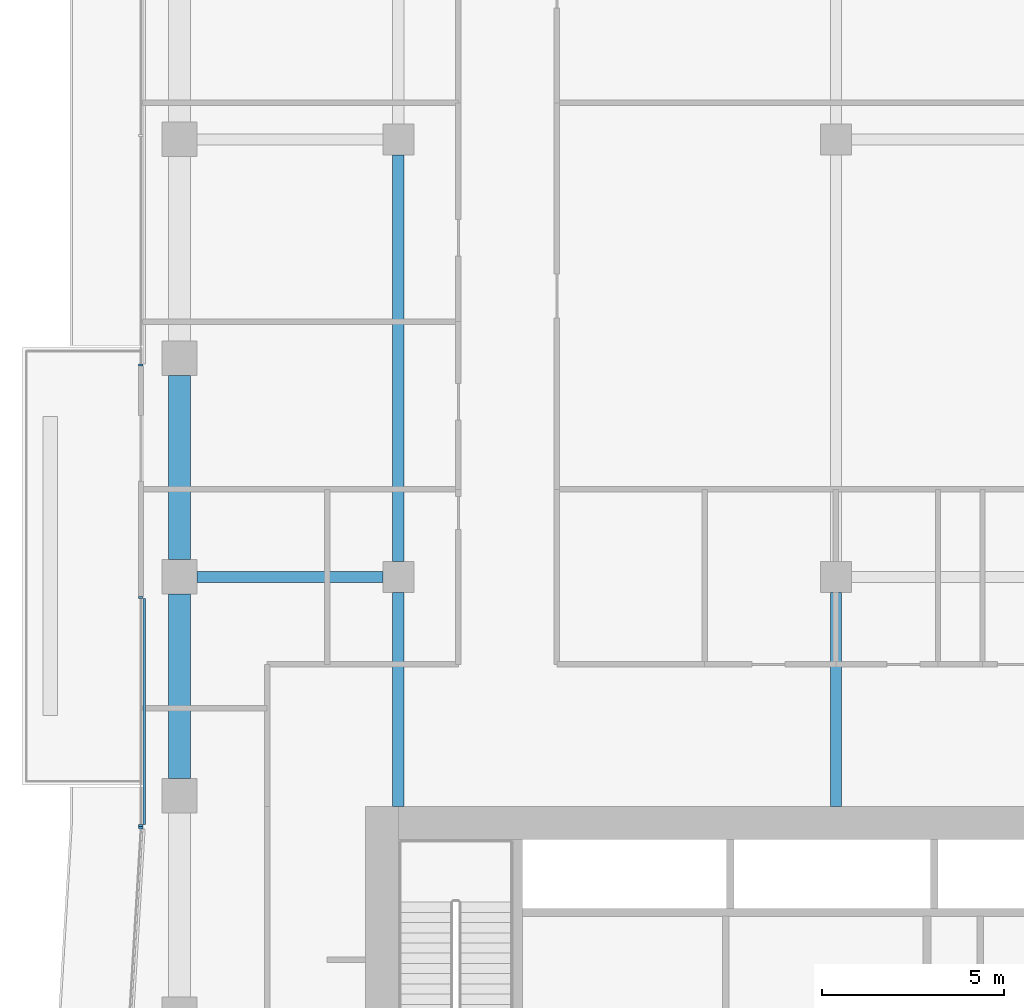
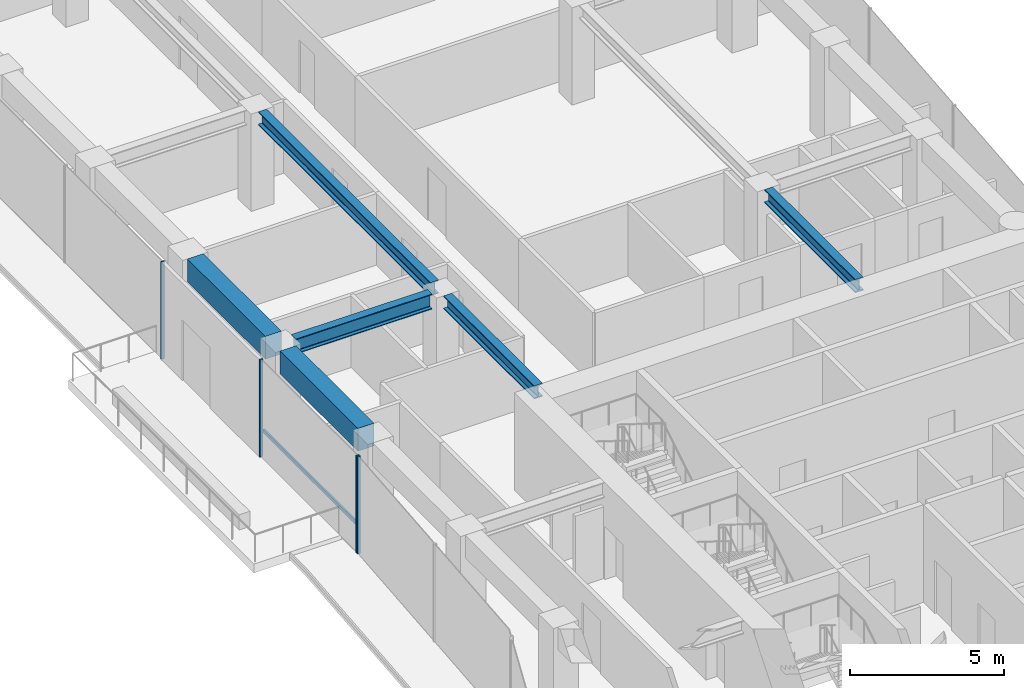
# One storey, part 12 of 27: 6 beams, 5 members, 3 elements without a shape of their own.
"""IFC4 building model written with IfcOpenShell, lengths in metres."""

import ifcopenshell
import ifcopenshell.guid

model = None  # the IFC model being written
_history = None  # IfcOwnerHistory: only IFC2X3 demands one
_inside = {}  # id of a spatial element -> (the spatial element, [elements in it])
_under = {}  # id of a project, library or spatial element -> (it, [spatial elements below it])
_declared = {}  # id of a project -> (the project, [libraries it declares])
_typed = {}  # id of a type object -> (the type object, [elements of that type])
_made_of = {}  # id of a material, layer set ... -> (it, [elements and type objects made of it])


def new_model(schema):
    """Start an empty IFC model of exactly this schema.

    Asked for "IFC4X3", IfcOpenShell would pick the latest addendum, in which some entities
    have other attributes; the version numbers below select the first issue.
    IFC2X3 requires an IfcOwnerHistory on every rooted entity: one is made here for all.
    """
    global model, _history
    if schema == "IFC4X3":
        model = ifcopenshell.file(schema_version=(4, 3, 0, 0))
    else:
        model = ifcopenshell.file(schema=schema)
    _inside.clear()
    _under.clear()
    _declared.clear()
    _typed.clear()
    _made_of.clear()
    _history = None
    if model.schema == "IFC2X3":
        org = make("IfcOrganization", Name="unknown")
        user = make(
            "IfcPersonAndOrganization",
            ThePerson=make("IfcPerson", FamilyName="unknown"),
            TheOrganization=org,
        )
        app = make(
            "IfcApplication",
            ApplicationDeveloper=org,
            Version="unknown",
            ApplicationFullName="unknown",
            ApplicationIdentifier="unknown",
        )
        _history = make(
            "IfcOwnerHistory",
            OwningUser=user,
            OwningApplication=app,
            ChangeAction="ADDED",
            CreationDate=0,
        )
    return model


def make(cls, **values):
    """One entity of the class cls with the attributes given. An attribute that is None is left unset."""
    return model.create_entity(
        cls, **{name: value for name, value in values.items() if value is not None}
    )


def rooted(cls, **values):
    """An entity with a GlobalId (a new one), such as an element, a storey or a relation."""
    return make(cls, GlobalId=ifcopenshell.guid.new(), OwnerHistory=_history, **values)


def si_unit(unit_type, name, prefix=None):
    """IfcSIUnit, for example si_unit("LENGTHUNIT", "METRE", prefix="MILLI")."""
    return make("IfcSIUnit", UnitType=unit_type, Prefix=prefix, Name=name)


def assignment(units):
    """IfcUnitAssignment: the units of a project."""
    return None if units is None else make("IfcUnitAssignment", Units=units)


def point(xyz):
    """IfcCartesianPoint."""
    return None if xyz is None else make("IfcCartesianPoint", Coordinates=xyz)


def direction(xyz):
    """IfcDirection."""
    return None if xyz is None else make("IfcDirection", DirectionRatios=xyz)


def frame(location, z_axis=None, x_axis=None):
    """IfcAxis2Placement3D, a coordinate frame: its origin and axes. An axis left out is left unset."""
    return make(
        "IfcAxis2Placement3D",
        Location=point(location),
        Axis=direction(z_axis),
        RefDirection=direction(x_axis),
    )


def frame_2d(location, x_axis=None):
    """IfcAxis2Placement2D, a coordinate frame in the plane: its origin and x axis."""
    return make(
        "IfcAxis2Placement2D", Location=point(location), RefDirection=direction(x_axis)
    )


def origin():
    """The frame at (0, 0, 0) with its axes left unset."""
    return frame((0.0, 0.0, 0.0))


def origin_2d():
    """The frame at (0, 0) in the plane with its x axis left unset."""
    return frame_2d((0.0, 0.0))


def place(relative_to, where):
    """IfcLocalPlacement: puts the frame where relative to a parent placement (None: the world)."""
    return make(
        "IfcLocalPlacement", PlacementRelTo=relative_to, RelativePlacement=where
    )


def context(
    kind, dimensions, precision=None, world=None, true_north=None, identifier=None
):
    """IfcGeometricRepresentationContext, for example the 3D "Model" context."""
    return make(
        "IfcGeometricRepresentationContext",
        ContextIdentifier=identifier,
        ContextType=kind,
        CoordinateSpaceDimension=dimensions,
        Precision=precision,
        WorldCoordinateSystem=world,
        TrueNorth=true_north,
    )


def subcontext(parent, identifier, kind, view, scale=None):
    """IfcGeometricRepresentationSubContext, for example "Body" below "Model"."""
    return make(
        "IfcGeometricRepresentationSubContext",
        ContextIdentifier=identifier,
        ContextType=kind,
        ParentContext=parent,
        TargetScale=scale,
        TargetView=view,
    )


def project(units=None, contexts=None):
    """IfcProject with its units and contexts."""
    return rooted(
        "IfcProject",
        Name="project",
        RepresentationContexts=contexts,
        UnitsInContext=assignment(units),
    )


def spatial(cls, under=None, at=None, **own):
    """A site, building, storey or space (cls), placed at a placement, below another one or the project."""
    s = rooted(cls, ObjectPlacement=at, **own)
    if under is not None:
        _under.setdefault(under.id(), (under, []))[1].append(s)
    return s


def profile(cls, at=None, kind="AREA", **sizes):
    """A parametric profile (cls). Its sizes go by their IFC names, for example OverallWidth=200.0."""
    return make(cls, ProfileType=kind, Position=at, **sizes)


def rectangle(**sizes):
    """IfcRectangleProfileDef."""
    return profile("IfcRectangleProfileDef", **sizes)


def i_section(**sizes):
    """IfcIShapeProfileDef."""
    return profile("IfcIShapeProfileDef", **sizes)


def extrude(swept, where, along, depth):
    """IfcExtrudedAreaSolid: the profile swept, set in the frame where, extruded along a direction by depth."""
    return make(
        "IfcExtrudedAreaSolid",
        SweptArea=swept,
        Position=where,
        ExtrudedDirection=direction(along),
        Depth=depth,
    )


def shape(context_of_items, identifier, shape_type, items):
    """IfcShapeRepresentation: the items that make up one representation, for example the "Body"."""
    return make(
        "IfcShapeRepresentation",
        ContextOfItems=context_of_items,
        RepresentationIdentifier=identifier,
        RepresentationType=shape_type,
        Items=items,
    )


def material(Name=None, Category=None):
    """IfcMaterial."""
    return make("IfcMaterial", Name=Name, Category=Category)


def layer(
    of_material, thickness, ventilated=None, Name=None, Category=None, Priority=None
):
    """IfcMaterialLayer: one layer of a wall or slab, of a material (None: an air gap)."""
    return make(
        "IfcMaterialLayer",
        Material=of_material,
        LayerThickness=thickness,
        IsVentilated=ventilated,
        Name=Name,
        Category=Category,
        Priority=Priority,
    )


def layer_set(layers, Name=None):
    """IfcMaterialLayerSet."""
    return make("IfcMaterialLayerSet", MaterialLayers=layers, LayerSetName=Name)


def material_profile(
    of_material, cross_section, Name=None, Category=None, Priority=None
):
    """IfcMaterialProfile: a cross section and its material."""
    return make(
        "IfcMaterialProfile",
        Name=Name,
        Material=of_material,
        Profile=cross_section,
        Priority=Priority,
        Category=Category,
    )


def profile_set(profiles, Name=None, composite=None):
    """IfcMaterialProfileSet."""
    return make(
        "IfcMaterialProfileSet",
        Name=Name,
        MaterialProfiles=profiles,
        CompositeProfile=composite,
    )


def made_of(thing, what):
    """Note that an element or type object is made of a material, layer set ...; save() writes the relation."""
    if what is not None:
        _made_of.setdefault(what.id(), (what, []))[1].append(thing)
    return thing


def type_object(cls, material=None, **own):
    """A type object (cls), such as IfcWallType, which elements share."""
    return made_of(rooted(cls, **own), material)


def element(
    cls,
    number,
    at=None,
    inside=None,
    cuts=None,
    type_object=None,
    material=None,
    context=None,
    identifier="Body",
    shape_type=None,
    held_by="IfcProductDefinitionShape",
    body=None,
    shapes=None,
    **own,
):
    """One element of the class cls, such as IfcWall. Its Tag is "e" and its number.

    at: its placement. inside: the storey or other place that contains it. cuts: it is an
    opening in that element (IfcRelVoidsElement). A single representation is given by context,
    identifier, shape_type and body (its items); several are given by shapes. held_by: the class
    of the entity that holds the representations. save() writes the other relations.
    """
    e = rooted(cls, Tag="e%d" % number, ObjectPlacement=at, **own)
    if body is not None:
        shapes = [shape(context, identifier, shape_type, body)]
    if shapes is not None:
        e.Representation = make(held_by, Representations=shapes)
    if inside is not None:
        _inside.setdefault(inside.id(), (inside, []))[1].append(e)
    if cuts is not None:
        rooted(
            "IfcRelVoidsElement", RelatingBuildingElement=cuts, RelatedOpeningElement=e
        )
    if type_object is not None:
        _typed.setdefault(type_object.id(), (type_object, []))[1].append(e)
    return made_of(e, material)


def aggregate(whole, parts):
    """IfcRelAggregates: a whole, such as a stair, and the parts it consists of."""
    return rooted("IfcRelAggregates", RelatingObject=whole, RelatedObjects=parts)


def save(model, path):
    """Write the relations noted so far, then the file.

    IfcRelAggregates (storeys below a building ...), IfcRelContainedInSpatialStructure (elements
    in a storey), IfcRelDefinesByType, IfcRelAssociatesMaterial and IfcRelDeclares: one each for
    every whole, place, type object, material and project.
    """
    for whole, parts in _under.values():
        aggregate(whole, parts)
    for where, things in _inside.values():
        rooted(
            "IfcRelContainedInSpatialStructure",
            RelatedElements=things,
            RelatingStructure=where,
        )
    for kind, things in _typed.values():
        rooted("IfcRelDefinesByType", RelatedObjects=things, RelatingType=kind)
    for what, things in _made_of.values():
        rooted("IfcRelAssociatesMaterial", RelatedObjects=things, RelatingMaterial=what)
    for by, libraries in _declared.values():
        rooted("IfcRelDeclares", RelatingContext=by, RelatedDefinitions=libraries)
    model.write(path)


model = new_model("IFC4")

# Units and contexts
model_context = context("Model", 3, precision=1e-05, world=origin(), true_north=direction((0.0, 1.0)))
body_context = subcontext(model_context, "Body", "Model", "MODEL_VIEW")
ifc_project = project(units=[si_unit("LENGTHUNIT", "METRE"), si_unit("AREAUNIT", "SQUARE_METRE"), si_unit("VOLUMEUNIT", "CUBIC_METRE"), si_unit("PLANEANGLEUNIT", "RADIAN"), si_unit("MASSUNIT", "GRAM", prefix="KILO")], contexts=[model_context])

# Site, building, storey
site_placement = place(None, origin())
site = spatial("IfcSite", under=ifc_project, at=site_placement, CompositionType="ELEMENT")
building_placement = place(site_placement, origin())
building = spatial("IfcBuilding", under=site, at=building_placement, Name="Welwitschia Terrace Campus", CompositionType="ELEMENT")
storey_placement = place(building_placement, frame((0.0, 0.0, 37.39990234375)))
storey = spatial("IfcBuildingStorey", under=building, at=storey_placement, Name="L08", CompositionType="ELEMENT", Elevation=37.39990234375)

# Beams
ifc_material_1 = material(Name="Steel S355", Category="steel")
ifc_material_profile_1 = material_profile(ifc_material_1, i_section(OverallWidth=0.305908203125, OverallDepth=0.52392578125, WebThickness=0.02099609375, FlangeThickness=0.0400390625, FilletRadius=0.027099609375, at=origin_2d()))
ifc_profile_set_1 = profile_set([ifc_material_profile_1], Name="Steel S355")
beam_type_1 = type_object("IfcBeamType", Name="Interior girder HE 500 M", PredefinedType="BEAM", material=ifc_profile_set_1)
beam_1_placement = place(storey_placement, frame((6.0, 25.700927734375, 3.588134765625), z_axis=(0.0, 1.0, 0.0), x_axis=(-1.0, 0.0, 0.0)))
element("IfcBeam", 1, at=beam_1_placement, inside=storey, type_object=beam_type_1, Name="Girder GB2", PredefinedType="BEAM", context=body_context, shape_type="SweptSolid", body=[
    extrude(i_section(OverallWidth=0.305908203125, OverallDepth=0.52392578125, WebThickness=0.02099609375, FlangeThickness=0.0400390625, FilletRadius=0.027099609375, at=origin_2d()), origin(), (0.0, 0.0, 1.0), 5.87353515625),
])
beam_2_placement = place(storey_placement, frame((6.0, 32.425537109375, 3.588134765625), z_axis=(0.0, 1.0, 0.0), x_axis=(-1.0, 0.0, 0.0)))
element("IfcBeam", 2, at=beam_2_placement, inside=storey, type_object=beam_type_1, Name="Girder GB2", PredefinedType="BEAM", context=body_context, shape_type="SweptSolid", body=[
    extrude(i_section(OverallWidth=0.305908203125, OverallDepth=0.52392578125, WebThickness=0.02099609375, FlangeThickness=0.0400390625, FilletRadius=0.027099609375, at=origin_2d()), origin(), (0.0, 0.0, 1.0), 11.14892578125),
])
beam_3_placement = place(storey_placement, frame((18.0, 25.700927734375, 3.588134765625), z_axis=(0.0, 1.0, 0.0), x_axis=(-1.0, 0.0, 0.0)))
element("IfcBeam", 3, at=beam_3_placement, inside=storey, type_object=beam_type_1, Name="Girder GB2", PredefinedType="BEAM", context=body_context, shape_type="SweptSolid", body=[
    extrude(i_section(OverallWidth=0.305908203125, OverallDepth=0.52392578125, WebThickness=0.02099609375, FlangeThickness=0.0400390625, FilletRadius=0.027099609375, at=origin_2d()), origin(), (0.0, 0.0, 1.0), 5.87353515625),
])

# Curtain wall, member
ifc_material_2 = material(Name="Bronze anodised aluminium", Category="aluminium")
ifc_layer = layer(ifc_material_2, 0.1201171875)
ifc_layer_set = layer_set([ifc_layer], Name="Bronze anodised aluminium")
curtain_wall_type = type_object("IfcCurtainWallType", Name="Curtain wall CW2 tower 6000", PredefinedType="NOTDEFINED", material=ifc_layer_set)
curtain_wall_1_placement = place(storey_placement, origin())
curtain_wall_1 = element("IfcCurtainWall", 4, at=curtain_wall_1_placement, inside=storey, type_object=curtain_wall_type, Name="CW L08.0.0", PredefinedType="NOTDEFINED")
ifc_material_3 = material(Name="Bronze anodised aluminium", Category="aluminium")
ifc_material_profile_2 = material_profile(ifc_material_3, rectangle(XDim=0.1201171875, YDim=0.06005859375, at=origin_2d()))
ifc_profile_set_2 = profile_set([ifc_material_profile_2], Name="Bronze anodised aluminium")
member_type_1 = type_object("IfcMemberType", Name="Mullion 60x120", PredefinedType="MULLION", material=ifc_profile_set_2)
member_1_placement = place(storey_placement, frame((-1.059814453125, 25.12060546875, 0.0), z_axis=(0.0, 0.0, 1.0), x_axis=(0.998134798422, -0.061048539535, 0.0)))
member_1 = element("IfcMember", 5, at=member_1_placement, type_object=member_type_1, Name="Mullion L08.0.0.0", PredefinedType="MULLION", context=body_context, shape_type="SweptSolid", body=[
    extrude(rectangle(XDim=0.1201171875, YDim=0.06005859375, at=origin_2d()), origin(), (0.0, 0.0, 1.0), 3.85009765625),
])
aggregate(curtain_wall_1, [member_1])

curtain_wall_2_placement = place(storey_placement, origin())
curtain_wall_2 = element("IfcCurtainWall", 6, at=curtain_wall_2_placement, inside=storey, type_object=curtain_wall_type, Name="CW L08.13.0", PredefinedType="NOTDEFINED")
member_2_placement = place(storey_placement, frame((-1.05810546875, 37.814453125, 0.0), z_axis=(0.0, 0.0, 1.0), x_axis=(1.0, 0.0, 0.0)))
member_2 = element("IfcMember", 7, at=member_2_placement, type_object=member_type_1, Name="Mullion L08.13.0.4", PredefinedType="MULLION", context=body_context, shape_type="SweptSolid", body=[
    extrude(rectangle(XDim=0.1201171875, YDim=0.06005859375, at=origin_2d()), origin(), (0.0, 0.0, 1.0), 3.85009765625),
])
aggregate(curtain_wall_2, [member_2])

# Curtain wall, members
curtain_wall_3_placement = place(storey_placement, origin())
curtain_wall_3 = element("IfcCurtainWall", 8, at=curtain_wall_3_placement, inside=storey, type_object=curtain_wall_type, Name="CW L08.13.5", PredefinedType="NOTDEFINED")
member_3_placement = place(storey_placement, frame((-1.05810546875, 31.4375, 0.0), z_axis=(0.0, 0.0, 1.0), x_axis=(1.0, 0.0, 0.0)))
member_3 = element("IfcMember", 9, at=member_3_placement, type_object=member_type_1, Name="Mullion L08.13.5.0", PredefinedType="MULLION", context=body_context, shape_type="SweptSolid", body=[
    extrude(rectangle(XDim=0.1201171875, YDim=0.06005859375, at=origin_2d()), origin(), (0.0, 0.0, 1.0), 3.85009765625),
])
member_4_placement = place(storey_placement, frame((-1.05810546875, 25.1806640625, 0.0), z_axis=(0.0, 0.0, 1.0), x_axis=(1.0, 0.0, 0.0)))
member_4 = element("IfcMember", 10, at=member_4_placement, type_object=member_type_1, Name="Mullion L08.13.5.1", PredefinedType="MULLION", context=body_context, shape_type="SweptSolid", body=[
    extrude(rectangle(XDim=0.1201171875, YDim=0.06005859375, at=origin_2d()), origin(), (0.0, 0.0, 1.0), 3.85009765625),
])

# Beams
ifc_material_4 = material(Name="Steel S355", Category="steel")
ifc_material_profile_3 = material_profile(ifc_material_4, i_section(OverallWidth=0.300048828125, OverallDepth=0.60009765625, WebThickness=0.015380859375, FlangeThickness=0.030029296875, FilletRadius=0.027099609375, at=origin_2d()))
ifc_profile_set_3 = profile_set([ifc_material_profile_3], Name="Steel S355")
beam_type_2 = type_object("IfcBeamType", Name="Primary beam HE 600 B", PredefinedType="BEAM", material=ifc_profile_set_3)
beam_4_placement = place(storey_placement, frame((0.4755859375, 32.0, 3.550048828125), z_axis=(1.0, 0.0, 0.0), x_axis=(0.0, 1.0, 0.0)))
element("IfcBeam", 11, at=beam_4_placement, inside=storey, type_object=beam_type_2, Name="Primary beam PB2", PredefinedType="BEAM", context=body_context, shape_type="SweptSolid", body=[
    extrude(i_section(OverallWidth=0.300048828125, OverallDepth=0.60009765625, WebThickness=0.015380859375, FlangeThickness=0.030029296875, FilletRadius=0.027099609375, at=origin_2d()), origin(), (0.0, 0.0, 1.0), 5.098876953125),
])
ifc_material_5 = material(Name="Concrete C60/75", Category="concrete")
ifc_material_profile_4 = material_profile(ifc_material_5, rectangle(XDim=0.60009765625, YDim=0.89990234375, at=origin_2d()))
ifc_profile_set_4 = profile_set([ifc_material_profile_4], Name="Concrete C60/75")
beam_type_3 = type_object("IfcBeamType", Name="Ring spandrel 600x900", PredefinedType="SPANDREL", material=ifc_profile_set_4)
for number, where, z_axis, x_axis, name in (
    (12, (0.0, 37.5244140625, 3.400146484375), (0.0, -1.0, 0.0), (1.0, 0.0, 0.0), "Spandrel SP2"),
    (13, (0.0, 31.5244140625, 3.400146484375), (0.0, -1.0, 0.0), (1.0, 0.0, 0.0), "Spandrel SP2"),
):
    element("IfcBeam", number, at=place(storey_placement, frame(where, z_axis=z_axis, x_axis=x_axis)), inside=storey, type_object=beam_type_3, Name=name, PredefinedType="SPANDREL", context=body_context, shape_type="SweptSolid", body=[
        extrude(rectangle(XDim=0.60009765625, YDim=0.89990234375, at=origin_2d()), origin(), (0.0, 0.0, 1.0), 5.048828125),
    ])

# Member
ifc_material_6 = material(Name="Bronze anodised aluminium", Category="aluminium")
ifc_material_profile_5 = material_profile(ifc_material_6, rectangle(XDim=0.06005859375, YDim=0.14990234375, at=origin_2d()))
ifc_profile_set_5 = profile_set([ifc_material_profile_5], Name="Bronze anodised aluminium")
member_type_2 = type_object("IfcMemberType", Name="Transom 60x150", PredefinedType="USERDEFINED", material=ifc_profile_set_5)
member_5_placement = place(storey_placement, frame((-0.968017578125, 31.407470703125, 1.0), z_axis=(0.0, -1.0, 0.0), x_axis=(1.0, 0.0, 0.0)))
member_5 = element("IfcMember", 14, at=member_5_placement, type_object=member_type_2, Name="Transom L08.13.5", ObjectType="TRANSOM", PredefinedType="USERDEFINED", context=body_context, shape_type="SweptSolid", body=[
    extrude(rectangle(XDim=0.06005859375, YDim=0.14990234375, at=origin_2d()), origin(), (0.0, 0.0, 1.0), 6.197021484375),
])

aggregate(curtain_wall_3, [member_3, member_4, member_5])

save(model, "model.ifc")
